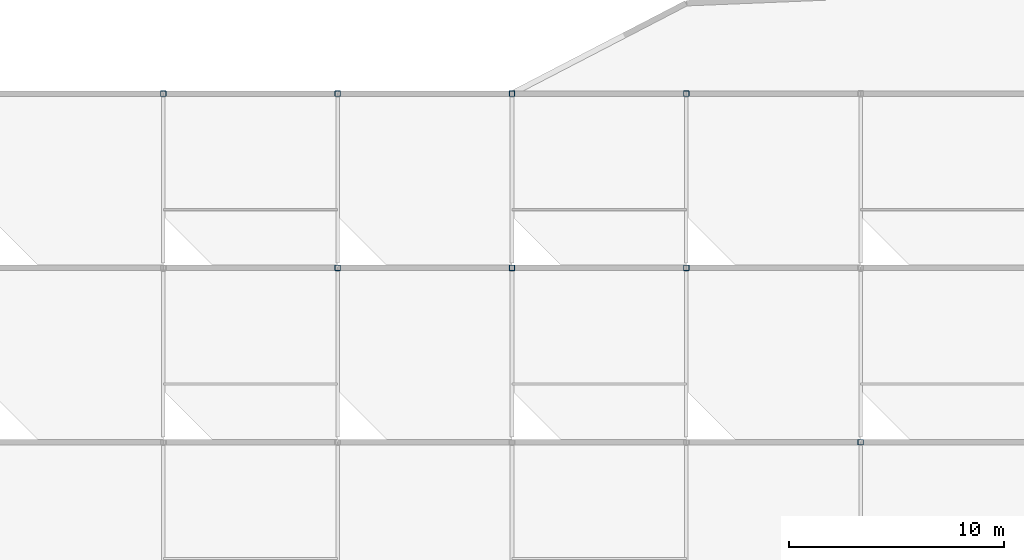
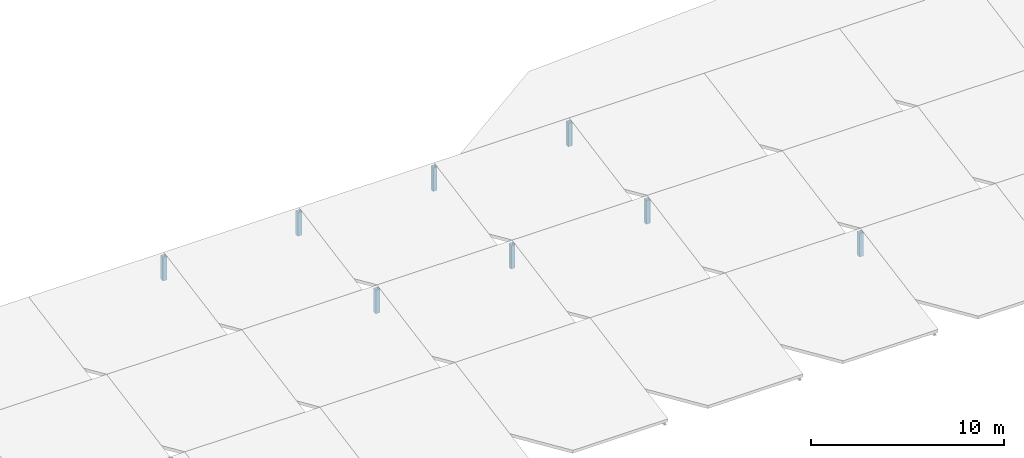
# One storey, part 5 of 33: 8 columns.
"""IFC4 building model written with IfcOpenShell, lengths in metres."""

from ifc_helpers import new_model, si_unit, direction, frame, origin, origin_2d, place, context, subcontext, project, spatial, hollow_rectangle, extrude, material, material_profile, profile_set, type_object, element, save


model = new_model("IFC4")

# Units and contexts
model_context = context("Model", 3, precision=1e-05, world=origin(), true_north=direction((0.0, 1.0)))
body_context = subcontext(model_context, "Body", "Model", "MODEL_VIEW")
ifc_project = project(units=[si_unit("LENGTHUNIT", "METRE"), si_unit("AREAUNIT", "SQUARE_METRE"), si_unit("VOLUMEUNIT", "CUBIC_METRE"), si_unit("PLANEANGLEUNIT", "RADIAN"), si_unit("MASSUNIT", "GRAM", prefix="KILO")], contexts=[model_context])

# Site, building, storey
site_placement = place(None, origin())
site = spatial("IfcSite", under=ifc_project, at=site_placement, CompositionType="ELEMENT")
building_placement = place(site_placement, origin())
building = spatial("IfcBuilding", under=site, at=building_placement, Name="Vaudrelin Polytechnic", CompositionType="ELEMENT")
storey_placement = place(building_placement, frame((0.0, 0.0, 27.3701171875)))
storey = spatial("IfcBuildingStorey", under=building, at=storey_placement, Name="L06", CompositionType="ELEMENT", Elevation=27.3701171875)

# Columns
ifc_material = material(Name="Steel CSA G40.21 350W", Category="steel")
ifc_material_profile = material_profile(ifc_material, hollow_rectangle(XDim=0.25390625, YDim=0.25390625, WallThickness=0.0126953125, InnerFilletRadius=0.0126953125, OuterFilletRadius=0.025390625, at=origin_2d()), Name="HSS254x254x12.7")
ifc_profile_set = profile_set([ifc_material_profile], Name="Steel CSA G40.21 350W")
column_type = type_object("IfcColumnType", Name="COL-C-HSS254", PredefinedType="COLUMN", material=ifc_profile_set)
for number, where, z_axis, x_axis, name in (
    (1, (81.0, 105.300048828125, 0.0), (0.0, 0.0, 1.0), (1.0, 0.0, 0.0), "Sawtooth north clerestory post 10-13"),
    (2, (56.699951171875, 113.39990234375, 0.0), (0.0, 0.0, 1.0), (1.0, 0.0, 0.0), "Sawtooth north clerestory post 7-14"),
    (3, (64.800048828125, 113.39990234375, 0.0), (0.0, 0.0, 1.0), (1.0, 0.0, 0.0), "Sawtooth north clerestory post 8-14"),
    (4, (72.89990234375, 113.39990234375, 0.0), (0.0, 0.0, 1.0), (1.0, 0.0, 0.0), "Sawtooth north clerestory post 9-14"),
    (5, (48.60009765625, 121.5, 0.0), (0.0, 0.0, 1.0), (1.0, 0.0, 0.0), "Sawtooth north clerestory post 6-15"),
    (6, (56.699951171875, 121.5, 0.0), (0.0, 0.0, 1.0), (1.0, 0.0, 0.0), "Sawtooth north clerestory post 7-15"),
    (7, (64.800048828125, 121.5, 0.0), (0.0, 0.0, 1.0), (1.0, 0.0, 0.0), "Sawtooth north clerestory post 8-15"),
    (8, (72.89990234375, 121.5, 0.0), (0.0, 0.0, 1.0), (1.0, 0.0, 0.0), "Sawtooth north clerestory post 9-15"),
):
    element("IfcColumn", number, at=place(storey_placement, frame(where, z_axis=z_axis, x_axis=x_axis)), inside=storey, type_object=column_type, Name=name, PredefinedType="COLUMN", context=body_context, shape_type="SweptSolid", body=[
        extrude(hollow_rectangle(XDim=0.25390625, YDim=0.25390625, WallThickness=0.0126953125, InnerFilletRadius=0.0126953125, OuterFilletRadius=0.025390625, at=origin_2d()), origin(), (0.0, 0.0, 1.0), 1.490966796875),
    ])

save(model, "model.ifc")
